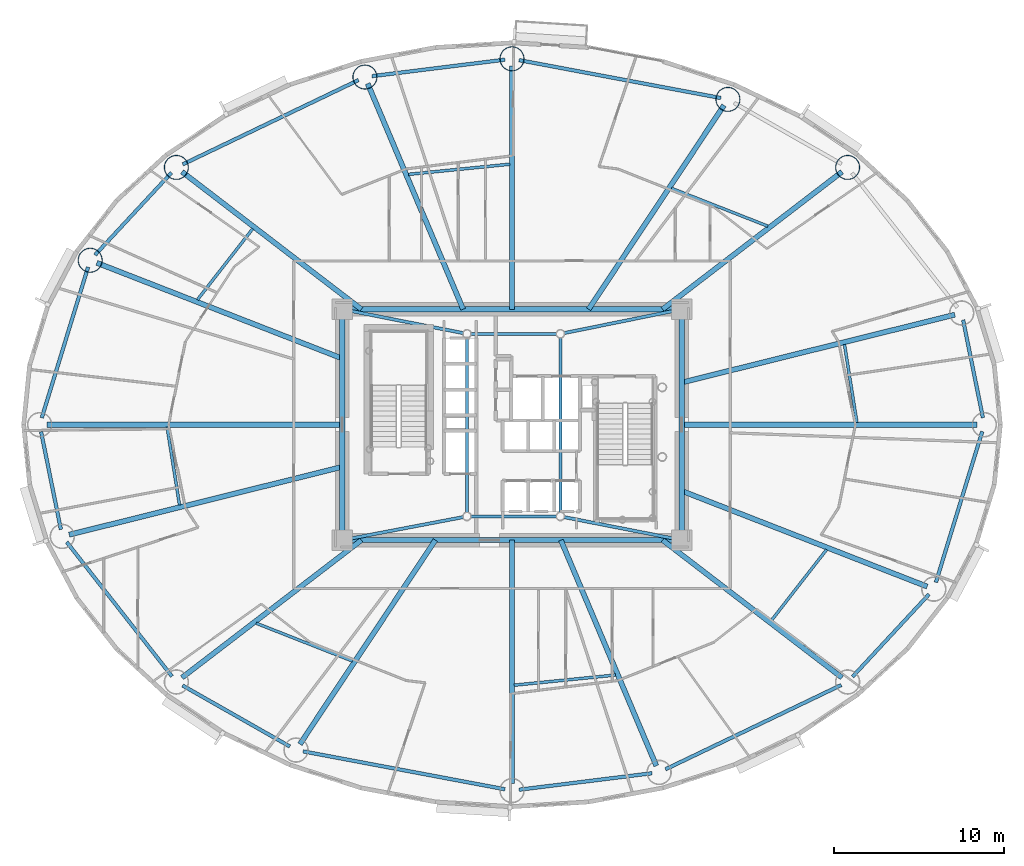
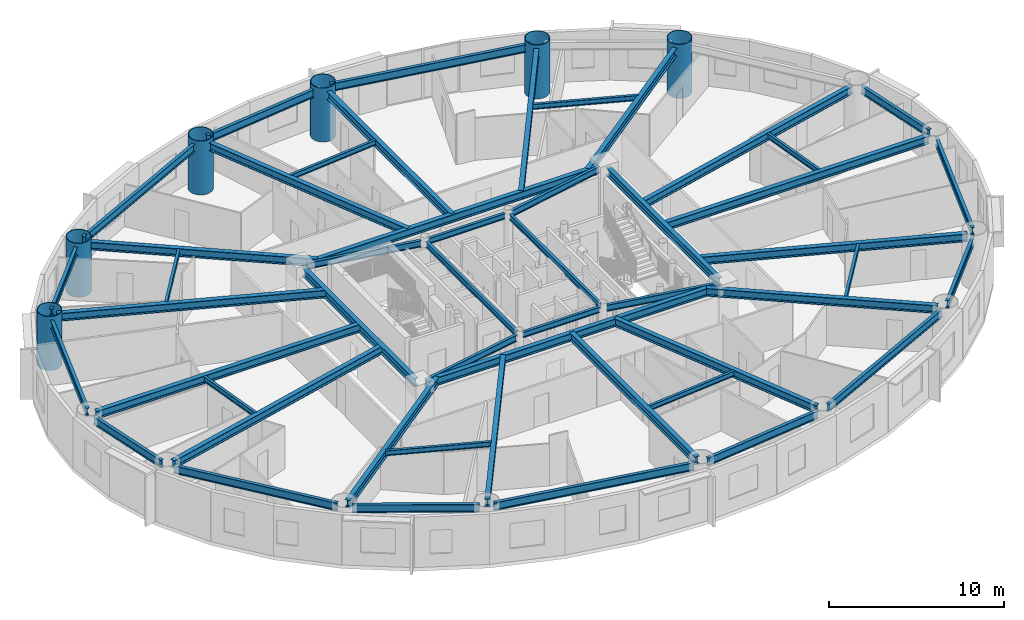
# One storey, part 3 of 16: 50 beams, 6 columns.
"""IFC4 building model written with IfcOpenShell, lengths in metres."""

from ifc_helpers import new_model, si_unit, direction, frame, origin, origin_2d, place, context, subcontext, project, spatial, hollow_circle, i_section, extrude, material, material_profile, profile_set, type_object, element, save


model = new_model("IFC4")

# Units and contexts
model_context = context("Model", 3, precision=1e-05, world=origin(), true_north=direction((0.0, 1.0)))
body_context = subcontext(model_context, "Body", "Model", "MODEL_VIEW")
ifc_project = project(units=[si_unit("LENGTHUNIT", "METRE"), si_unit("AREAUNIT", "SQUARE_METRE"), si_unit("VOLUMEUNIT", "CUBIC_METRE"), si_unit("PLANEANGLEUNIT", "RADIAN"), si_unit("MASSUNIT", "GRAM", prefix="KILO")], contexts=[model_context])

# Site, building, storey
site_placement = place(None, origin())
site = spatial("IfcSite", under=ifc_project, at=site_placement, CompositionType="ELEMENT")
building_placement = place(site_placement, origin())
building = spatial("IfcBuilding", under=site, at=building_placement, Name="Linh Dai School and Residence Tower", CompositionType="ELEMENT")
storey_placement = place(building_placement, frame((0.0, 0.0, 108.449951171875)))
storey = spatial("IfcBuildingStorey", under=building, at=storey_placement, Name="L25", CompositionType="ELEMENT", Elevation=108.449951171875)

# Columns
ifc_material = material(Name="Structural Steel S355JR", Category="steel")
ifc_material_profile_1 = material_profile(ifc_material, hollow_circle(Radius=0.72509765625, WallThickness=0.0419921875, at=origin_2d()), Name="CHS 1450x42")
ifc_profile_set_1 = profile_set([ifc_material_profile_1], Name="Structural Steel S355JR")
column_type = type_object("IfcColumnType", Name="COL-MC3", PredefinedType="COLUMN", material=ifc_profile_set_1)
for number, where, z_axis, x_axis, name in (
    (1, (55.772705078125, 42.155517578125, 0.0), (0.0, 0.0, 1.0), (1.0, 0.0, 0.0), "L25 Perimeter CFT Mega-Column MC03"),
    (2, (48.721923828125, 46.1650390625, 0.0), (0.0, 0.0, 1.0), (1.0, 0.0, 0.0), "L25 Perimeter CFT Mega-Column MC04"),
    (3, (36.0, 48.554931640625, 0.0), (0.0, 0.0, 1.0), (1.0, 0.0, 0.0), "L25 Perimeter CFT Mega-Column MC05"),
    (4, (27.33447265625, 47.480712890625, 0.0), (0.0, 0.0, 1.0), (1.0, 0.0, 0.0), "L25 Perimeter CFT Mega-Column MC06"),
    (5, (16.227294921875, 42.155517578125, 0.0), (0.0, 0.0, 1.0), (1.0, 0.0, 0.0), "L25 Perimeter CFT Mega-Column MC07"),
    (6, (11.15087890625, 36.6875, 0.0), (0.0, 0.0, 1.0), (1.0, 0.0, 0.0), "L25 Perimeter CFT Mega-Column MC08"),
):
    element("IfcColumn", number, at=place(storey_placement, frame(where, z_axis=z_axis, x_axis=x_axis)), inside=storey, type_object=column_type, Name=name, PredefinedType="COLUMN", context=body_context, shape_type="SweptSolid", body=[
        extrude(hollow_circle(Radius=0.72509765625, WallThickness=0.0419921875, at=origin_2d()), origin(), (0.0, 0.0, 1.0), 3.75),
    ])

# Beams
ifc_material_profile_2 = material_profile(ifc_material, i_section(OverallWidth=0.2099609375, OverallDepth=0.550048828125, WebThickness=0.010986328125, FlangeThickness=0.01708984375, FilletRadius=0.02392578125, at=origin_2d()), Name="IPE 550")
ifc_profile_set_2 = profile_set([ifc_material_profile_2], Name="Structural Steel S355JR")
beam_type_1 = type_object("IfcBeamType", Name="BM-RB55", PredefinedType="BEAM", material=ifc_profile_set_2)
beam_1_placement = place(storey_placement, frame((63.74169921875, 27.41162109375, 3.22509765625), z_axis=(-0.198441254313, 0.980112783605, 0.0), x_axis=(-0.980112783605, -0.198441254313, 0.0)))
element("IfcBeam", 7, at=beam_1_placement, inside=storey, type_object=beam_type_1, Name="L25 Perimeter Elliptical Ring Beam 01", PredefinedType="BEAM", context=body_context, shape_type="SweptSolid", body=[
    extrude(i_section(OverallWidth=0.2099609375, OverallDepth=0.550048828125, WebThickness=0.010986328125, FlangeThickness=0.01708984375, FilletRadius=0.02392578125, at=origin_2d()), origin(), (0.0, 0.0, 1.0), 5.874755859375),
])
beam_2_placement = place(storey_placement, frame((48.30908203125, 46.24267578125, 3.22509765625), z_axis=(-0.982807507457, 0.184633158685, 0.0), x_axis=(-0.184633158685, -0.982807507457, 0.0)))
element("IfcBeam", 8, at=beam_2_placement, inside=storey, type_object=beam_type_1, Name="L25 Perimeter Elliptical Ring Beam 04", PredefinedType="BEAM", context=body_context, shape_type="SweptSolid", body=[
    extrude(i_section(OverallWidth=0.2099609375, OverallDepth=0.550048828125, WebThickness=0.010986328125, FlangeThickness=0.01708984375, FilletRadius=0.02392578125, at=origin_2d()), origin(), (0.0, 0.0, 1.0), 12.104248046875),
])
beam_3_placement = place(storey_placement, frame((35.583251953125, 48.50341796875, 3.22509765625), z_axis=(-0.992399234854, -0.123059979933, 0.0), x_axis=(0.123059979933, -0.992399234854, 0.0)))
element("IfcBeam", 9, at=beam_3_placement, inside=storey, type_object=beam_type_1, Name="L25 Perimeter Elliptical Ring Beam 05", PredefinedType="BEAM", context=body_context, shape_type="SweptSolid", body=[
    extrude(i_section(OverallWidth=0.2099609375, OverallDepth=0.550048828125, WebThickness=0.010986328125, FlangeThickness=0.01708984375, FilletRadius=0.02392578125, at=origin_2d()), origin(), (0.0, 0.0, 1.0), 7.89208984375),
])
beam_4_placement = place(storey_placement, frame((26.955810546875, 47.299072265625, 3.22509765625), z_axis=(-0.901715153312, -0.432330640005, 0.0), x_axis=(0.432330640005, -0.901715153312, 0.0)))
element("IfcBeam", 10, at=beam_4_placement, inside=storey, type_object=beam_type_1, Name="L25 Perimeter Elliptical Ring Beam 06", PredefinedType="BEAM", context=body_context, shape_type="SweptSolid", body=[
    extrude(i_section(OverallWidth=0.2099609375, OverallDepth=0.550048828125, WebThickness=0.010986328125, FlangeThickness=0.01708984375, FilletRadius=0.02392578125, at=origin_2d()), origin(), (0.0, 0.0, 1.0), 11.477783203125),
])
beam_5_placement = place(storey_placement, frame((15.941650390625, 41.84765625, 3.22509765625), z_axis=(-0.680384623752, -0.732855213369, 0.0), x_axis=(0.732855213369, -0.680384623752, 0.0)))
element("IfcBeam", 11, at=beam_5_placement, inside=storey, type_object=beam_type_1, Name="L25 Perimeter Elliptical Ring Beam 07", PredefinedType="BEAM", context=body_context, shape_type="SweptSolid", body=[
    extrude(i_section(OverallWidth=0.2099609375, OverallDepth=0.550048828125, WebThickness=0.010986328125, FlangeThickness=0.01708984375, FilletRadius=0.02392578125, at=origin_2d()), origin(), (0.0, 0.0, 1.0), 6.62109375),
])
beam_6_placement = place(storey_placement, frame((11.027587890625, 36.2861328125, 3.22509765625), z_axis=(-0.29364097848, -0.95591577859, 0.0), x_axis=(0.95591577859, -0.29364097848, 0.0)))
element("IfcBeam", 12, at=beam_6_placement, inside=storey, type_object=beam_type_1, Name="L25 Perimeter Elliptical Ring Beam 08", PredefinedType="BEAM", context=body_context, shape_type="SweptSolid", body=[
    extrude(i_section(OverallWidth=0.2099609375, OverallDepth=0.550048828125, WebThickness=0.010986328125, FlangeThickness=0.01708984375, FilletRadius=0.02392578125, at=origin_2d()), origin(), (0.0, 0.0, 1.0), 9.29443359375),
])
beam_7_placement = place(storey_placement, frame((8.25830078125, 26.58837890625, 3.22509765625), z_axis=(0.198441254313, -0.980112783605, 0.0), x_axis=(0.980112783605, 0.198441254313, 0.0)))
element("IfcBeam", 13, at=beam_7_placement, inside=storey, type_object=beam_type_1, Name="L25 Perimeter Elliptical Ring Beam 09", PredefinedType="BEAM", context=body_context, shape_type="SweptSolid", body=[
    extrude(i_section(OverallWidth=0.2099609375, OverallDepth=0.550048828125, WebThickness=0.010986328125, FlangeThickness=0.01708984375, FilletRadius=0.02392578125, at=origin_2d()), origin(), (0.0, 0.0, 1.0), 5.874755859375),
])
beam_8_placement = place(storey_placement, frame((9.766357421875, 20.08837890625, 3.22509765625), z_axis=(0.616854830973, -0.787076945098, 0.0), x_axis=(0.787076945098, 0.616854830973, 0.0)))
element("IfcBeam", 14, at=beam_8_placement, inside=storey, type_object=beam_type_1, Name="L25 Perimeter Elliptical Ring Beam 10", PredefinedType="BEAM", context=body_context, shape_type="SweptSolid", body=[
    extrude(i_section(OverallWidth=0.2099609375, OverallDepth=0.550048828125, WebThickness=0.010986328125, FlangeThickness=0.01708984375, FilletRadius=0.02392578125, at=origin_2d()), origin(), (0.0, 0.0, 1.0), 10.053955078125),
])
beam_9_placement = place(storey_placement, frame((16.592529296875, 11.636962890625, 3.22509765625), z_axis=(0.86927031475, -0.494337050902, 0.0), x_axis=(0.494337050902, 0.86927031475, 0.0)))
element("IfcBeam", 15, at=beam_9_placement, inside=storey, type_object=beam_type_1, Name="L25 Perimeter Elliptical Ring Beam 11", PredefinedType="BEAM", context=body_context, shape_type="SweptSolid", body=[
    extrude(i_section(OverallWidth=0.2099609375, OverallDepth=0.550048828125, WebThickness=0.010986328125, FlangeThickness=0.01708984375, FilletRadius=0.02392578125, at=origin_2d()), origin(), (0.0, 0.0, 1.0), 7.270751953125),
])
beam_10_placement = place(storey_placement, frame((23.69091796875, 7.75732421875, 3.22509765625), z_axis=(0.982807507457, -0.184633158685, 0.0), x_axis=(0.184633158685, 0.982807507457, 0.0)))
element("IfcBeam", 16, at=beam_10_placement, inside=storey, type_object=beam_type_1, Name="L25 Perimeter Elliptical Ring Beam 12", PredefinedType="BEAM", context=body_context, shape_type="SweptSolid", body=[
    extrude(i_section(OverallWidth=0.2099609375, OverallDepth=0.550048828125, WebThickness=0.010986328125, FlangeThickness=0.01708984375, FilletRadius=0.02392578125, at=origin_2d()), origin(), (0.0, 0.0, 1.0), 12.104248046875),
])
beam_11_placement = place(storey_placement, frame((36.416748046875, 5.49658203125, 3.22509765625), z_axis=(0.992399234854, 0.123059979933, 0.0), x_axis=(-0.123059979933, 0.992399234854, 0.0)))
element("IfcBeam", 17, at=beam_11_placement, inside=storey, type_object=beam_type_1, Name="L25 Perimeter Elliptical Ring Beam 13", PredefinedType="BEAM", context=body_context, shape_type="SweptSolid", body=[
    extrude(i_section(OverallWidth=0.2099609375, OverallDepth=0.550048828125, WebThickness=0.010986328125, FlangeThickness=0.01708984375, FilletRadius=0.02392578125, at=origin_2d()), origin(), (0.0, 0.0, 1.0), 7.89208984375),
])
beam_12_placement = place(storey_placement, frame((45.044189453125, 6.700927734375, 3.22509765625), z_axis=(0.901715153312, 0.432330640005, 0.0), x_axis=(-0.432330640005, 0.901715153312, 0.0)))
element("IfcBeam", 18, at=beam_12_placement, inside=storey, type_object=beam_type_1, Name="L25 Perimeter Elliptical Ring Beam 14", PredefinedType="BEAM", context=body_context, shape_type="SweptSolid", body=[
    extrude(i_section(OverallWidth=0.2099609375, OverallDepth=0.550048828125, WebThickness=0.010986328125, FlangeThickness=0.01708984375, FilletRadius=0.02392578125, at=origin_2d()), origin(), (0.0, 0.0, 1.0), 11.477783203125),
])
beam_13_placement = place(storey_placement, frame((56.058349609375, 12.15234375, 3.22509765625), z_axis=(0.680384623752, 0.732855213369, 0.0), x_axis=(-0.732855213369, 0.680384623752, 0.0)))
element("IfcBeam", 19, at=beam_13_placement, inside=storey, type_object=beam_type_1, Name="L25 Perimeter Elliptical Ring Beam 15", PredefinedType="BEAM", context=body_context, shape_type="SweptSolid", body=[
    extrude(i_section(OverallWidth=0.2099609375, OverallDepth=0.550048828125, WebThickness=0.010986328125, FlangeThickness=0.01708984375, FilletRadius=0.02392578125, at=origin_2d()), origin(), (0.0, 0.0, 1.0), 6.62109375),
])
beam_14_placement = place(storey_placement, frame((60.972412109375, 17.7138671875, 3.22509765625), z_axis=(0.29364097848, 0.95591577859, 0.0), x_axis=(-0.95591577859, 0.29364097848, 0.0)))
element("IfcBeam", 20, at=beam_14_placement, inside=storey, type_object=beam_type_1, Name="L25 Perimeter Elliptical Ring Beam 16", PredefinedType="BEAM", context=body_context, shape_type="SweptSolid", body=[
    extrude(i_section(OverallWidth=0.2099609375, OverallDepth=0.550048828125, WebThickness=0.010986328125, FlangeThickness=0.01708984375, FilletRadius=0.02392578125, at=origin_2d()), origin(), (0.0, 0.0, 1.0), 9.29443359375),
])
ifc_material_profile_3 = material_profile(ifc_material, i_section(OverallWidth=0.300048828125, OverallDepth=0.550048828125, WebThickness=0.014892578125, FlangeThickness=0.029052734375, FilletRadius=0.027099609375, at=origin_2d()), Name="HEB 550")
ifc_profile_set_3 = profile_set([ifc_material_profile_3], Name="Structural Steel S355JR")
beam_type_2 = type_object("IfcBeamType", Name="BM-RG55", PredefinedType="BEAM", material=ifc_profile_set_3)
beam_15_placement = place(storey_placement, frame((26.419921875, 20.199951171875, 3.22509765625), z_axis=(1.0, 0.0, 0.0), x_axis=(0.0, 1.0, 0.0)))
element("IfcBeam", 21, at=beam_15_placement, inside=storey, type_object=beam_type_2, Name="L25 Core Perimeter Coupling Girder 1", PredefinedType="BEAM", context=body_context, shape_type="SweptSolid", body=[
    extrude(i_section(OverallWidth=0.300048828125, OverallDepth=0.550048828125, WebThickness=0.014892578125, FlangeThickness=0.029052734375, FilletRadius=0.027099609375, at=origin_2d()), origin(), (0.0, 0.0, 1.0), 19.16015625),
])
beam_16_placement = place(storey_placement, frame((46.0, 20.6201171875, 3.22509765625), z_axis=(0.0, 1.0, 0.0), x_axis=(-1.0, 0.0, 0.0)))
element("IfcBeam", 22, at=beam_16_placement, inside=storey, type_object=beam_type_2, Name="L25 Core Perimeter Coupling Girder 2", PredefinedType="BEAM", context=body_context, shape_type="SweptSolid", body=[
    extrude(i_section(OverallWidth=0.300048828125, OverallDepth=0.550048828125, WebThickness=0.014892578125, FlangeThickness=0.029052734375, FilletRadius=0.027099609375, at=origin_2d()), origin(), (0.0, 0.0, 1.0), 12.759765625),
])
beam_17_placement = place(storey_placement, frame((45.580078125, 33.800048828125, 3.22509765625), z_axis=(-1.0, 0.0, 0.0), x_axis=(0.0, -1.0, 0.0)))
element("IfcBeam", 23, at=beam_17_placement, inside=storey, type_object=beam_type_2, Name="L25 Core Perimeter Coupling Girder 3", PredefinedType="BEAM", context=body_context, shape_type="SweptSolid", body=[
    extrude(i_section(OverallWidth=0.300048828125, OverallDepth=0.550048828125, WebThickness=0.014892578125, FlangeThickness=0.029052734375, FilletRadius=0.027099609375, at=origin_2d()), origin(), (0.0, 0.0, 1.0), 19.16015625),
])
beam_18_placement = place(storey_placement, frame((26.0, 33.3798828125, 3.22509765625), z_axis=(0.0, -1.0, 0.0), x_axis=(1.0, 0.0, 0.0)))
element("IfcBeam", 24, at=beam_18_placement, inside=storey, type_object=beam_type_2, Name="L25 Core Perimeter Coupling Girder 4", PredefinedType="BEAM", context=body_context, shape_type="SweptSolid", body=[
    extrude(i_section(OverallWidth=0.300048828125, OverallDepth=0.550048828125, WebThickness=0.014892578125, FlangeThickness=0.029052734375, FilletRadius=0.027099609375, at=origin_2d()), origin(), (0.0, 0.0, 1.0), 12.759765625),
])
beam_19_placement = place(storey_placement, frame((46.0, 27.0, 3.22509765625), z_axis=(1.0, 0.0, 0.0), x_axis=(0.0, 1.0, 0.0)))
element("IfcBeam", 25, at=beam_19_placement, inside=storey, type_object=beam_type_2, Name="L25 Primary Radial Floor Girder 01", PredefinedType="BEAM", context=body_context, shape_type="SweptSolid", body=[
    extrude(i_section(OverallWidth=0.300048828125, OverallDepth=0.550048828125, WebThickness=0.014892578125, FlangeThickness=0.029052734375, FilletRadius=0.027099609375, at=origin_2d()), origin(), (0.0, 0.0, 1.0), 17.405029296875),
])
beam_20_placement = place(storey_placement, frame((46.0, 29.484130859375, 3.22509765625), z_axis=(0.970505338376, 0.241079630379, 0.0), x_axis=(-0.241079630379, 0.970505338376, 0.0)))
element("IfcBeam", 26, at=beam_20_placement, inside=storey, type_object=beam_type_2, Name="L25 Primary Radial Floor Girder 02", PredefinedType="BEAM", context=body_context, shape_type="SweptSolid", body=[
    extrude(i_section(OverallWidth=0.300048828125, OverallDepth=0.550048828125, WebThickness=0.014892578125, FlangeThickness=0.029052734375, FilletRadius=0.027099609375, at=origin_2d()), origin(), (0.0, 0.0, 1.0), 16.57373046875),
])
beam_21_placement = place(storey_placement, frame((44.87158203125, 33.800048828125, 3.22509765625), z_axis=(0.793678660795, 0.608337228352, 0.0), x_axis=(-0.608337228352, 0.793678660795, 0.0)))
element("IfcBeam", 27, at=beam_21_placement, inside=storey, type_object=beam_type_2, Name="L25 Primary Radial Floor Girder 03", PredefinedType="BEAM", context=body_context, shape_type="SweptSolid", body=[
    extrude(i_section(OverallWidth=0.300048828125, OverallDepth=0.550048828125, WebThickness=0.014892578125, FlangeThickness=0.029052734375, FilletRadius=0.027099609375, at=origin_2d()), origin(), (0.0, 0.0, 1.0), 13.314697265625),
])
beam_22_placement = place(storey_placement, frame((40.513916015625, 33.800048828125, 3.22509765625), z_axis=(0.553054392401, 0.833145148846, 0.0), x_axis=(-0.833145148846, 0.553054392401, 0.0)))
element("IfcBeam", 28, at=beam_22_placement, inside=storey, type_object=beam_type_2, Name="L25 Primary Radial Floor Girder 04", PredefinedType="BEAM", context=body_context, shape_type="SweptSolid", body=[
    extrude(i_section(OverallWidth=0.300048828125, OverallDepth=0.550048828125, WebThickness=0.014892578125, FlangeThickness=0.029052734375, FilletRadius=0.027099609375, at=origin_2d()), origin(), (0.0, 0.0, 1.0), 14.42138671875),
])
beam_23_placement = place(storey_placement, frame((36.0, 33.800048828125, 3.22509765625), z_axis=(0.0, 1.0, 0.0), x_axis=(-1.0, 0.0, 0.0)))
element("IfcBeam", 29, at=beam_23_placement, inside=storey, type_object=beam_type_2, Name="L25 Primary Radial Floor Girder 05", PredefinedType="BEAM", context=body_context, shape_type="SweptSolid", body=[
    extrude(i_section(OverallWidth=0.300048828125, OverallDepth=0.550048828125, WebThickness=0.014892578125, FlangeThickness=0.029052734375, FilletRadius=0.027099609375, at=origin_2d()), origin(), (0.0, 0.0, 1.0), 14.3349609375),
])
beam_24_placement = place(storey_placement, frame((33.122802734375, 33.800048828125, 3.22509765625), z_axis=(-0.389669233739, 0.920954878524, 0.0), x_axis=(-0.920954878524, -0.389669233739, 0.0)))
element("IfcBeam", 30, at=beam_24_placement, inside=storey, type_object=beam_type_2, Name="L25 Primary Radial Floor Girder 06", PredefinedType="BEAM", context=body_context, shape_type="SweptSolid", body=[
    extrude(i_section(OverallWidth=0.300048828125, OverallDepth=0.550048828125, WebThickness=0.014892578125, FlangeThickness=0.029052734375, FilletRadius=0.027099609375, at=origin_2d()), origin(), (0.0, 0.0, 1.0), 14.434814453125),
])
beam_25_placement = place(storey_placement, frame((27.12841796875, 33.800048828125, 3.22509765625), z_axis=(-0.793678660795, 0.608337228352, 0.0), x_axis=(-0.608337228352, -0.793678660795, 0.0)))
element("IfcBeam", 31, at=beam_25_placement, inside=storey, type_object=beam_type_2, Name="L25 Primary Radial Floor Girder 07", PredefinedType="BEAM", context=body_context, shape_type="SweptSolid", body=[
    extrude(i_section(OverallWidth=0.300048828125, OverallDepth=0.550048828125, WebThickness=0.014892578125, FlangeThickness=0.029052734375, FilletRadius=0.027099609375, at=origin_2d()), origin(), (0.0, 0.0, 1.0), 13.314697265625),
])
beam_26_placement = place(storey_placement, frame((26.0, 30.8984375, 3.22509765625), z_axis=(-0.931699338449, 0.363230426498, 0.0), x_axis=(-0.363230426498, -0.931699338449, 0.0)))
element("IfcBeam", 32, at=beam_26_placement, inside=storey, type_object=beam_type_2, Name="L25 Primary Radial Floor Girder 08", PredefinedType="BEAM", context=body_context, shape_type="SweptSolid", body=[
    extrude(i_section(OverallWidth=0.300048828125, OverallDepth=0.550048828125, WebThickness=0.014892578125, FlangeThickness=0.029052734375, FilletRadius=0.027099609375, at=origin_2d()), origin(), (0.0, 0.0, 1.0), 15.517578125),
])
beam_27_placement = place(storey_placement, frame((26.0, 27.0, 3.22509765625), z_axis=(-1.0, 0.0, 0.0), x_axis=(0.0, -1.0, 0.0)))
element("IfcBeam", 33, at=beam_27_placement, inside=storey, type_object=beam_type_2, Name="L25 Primary Radial Floor Girder 09", PredefinedType="BEAM", context=body_context, shape_type="SweptSolid", body=[
    extrude(i_section(OverallWidth=0.300048828125, OverallDepth=0.550048828125, WebThickness=0.014892578125, FlangeThickness=0.029052734375, FilletRadius=0.027099609375, at=origin_2d()), origin(), (0.0, 0.0, 1.0), 17.405029296875),
])
beam_28_placement = place(storey_placement, frame((26.0, 24.515869140625, 3.22509765625), z_axis=(-0.970505338376, -0.241079630379, 0.0), x_axis=(0.241079630379, -0.970505338376, 0.0)))
element("IfcBeam", 34, at=beam_28_placement, inside=storey, type_object=beam_type_2, Name="L25 Primary Radial Floor Girder 10", PredefinedType="BEAM", context=body_context, shape_type="SweptSolid", body=[
    extrude(i_section(OverallWidth=0.300048828125, OverallDepth=0.550048828125, WebThickness=0.014892578125, FlangeThickness=0.029052734375, FilletRadius=0.027099609375, at=origin_2d()), origin(), (0.0, 0.0, 1.0), 16.57373046875),
])
beam_29_placement = place(storey_placement, frame((27.12841796875, 20.199951171875, 3.22509765625), z_axis=(-0.793678660795, -0.608337228352, 0.0), x_axis=(0.608337228352, -0.793678660795, 0.0)))
element("IfcBeam", 35, at=beam_29_placement, inside=storey, type_object=beam_type_2, Name="L25 Primary Radial Floor Girder 11", PredefinedType="BEAM", context=body_context, shape_type="SweptSolid", body=[
    extrude(i_section(OverallWidth=0.300048828125, OverallDepth=0.550048828125, WebThickness=0.014892578125, FlangeThickness=0.029052734375, FilletRadius=0.027099609375, at=origin_2d()), origin(), (0.0, 0.0, 1.0), 13.314697265625),
])
beam_30_placement = place(storey_placement, frame((31.486083984375, 20.199951171875, 3.22509765625), z_axis=(-0.553054392401, -0.833145148846, 0.0), x_axis=(0.833145148846, -0.553054392401, 0.0)))
element("IfcBeam", 36, at=beam_30_placement, inside=storey, type_object=beam_type_2, Name="L25 Primary Radial Floor Girder 12", PredefinedType="BEAM", context=body_context, shape_type="SweptSolid", body=[
    extrude(i_section(OverallWidth=0.300048828125, OverallDepth=0.550048828125, WebThickness=0.014892578125, FlangeThickness=0.029052734375, FilletRadius=0.027099609375, at=origin_2d()), origin(), (0.0, 0.0, 1.0), 14.42138671875),
])
beam_31_placement = place(storey_placement, frame((36.0, 20.199951171875, 3.22509765625), z_axis=(0.0, -1.0, 0.0), x_axis=(1.0, 0.0, 0.0)))
element("IfcBeam", 37, at=beam_31_placement, inside=storey, type_object=beam_type_2, Name="L25 Primary Radial Floor Girder 13", PredefinedType="BEAM", context=body_context, shape_type="SweptSolid", body=[
    extrude(i_section(OverallWidth=0.300048828125, OverallDepth=0.550048828125, WebThickness=0.014892578125, FlangeThickness=0.029052734375, FilletRadius=0.027099609375, at=origin_2d()), origin(), (0.0, 0.0, 1.0), 14.3349609375),
])
beam_32_placement = place(storey_placement, frame((38.877197265625, 20.199951171875, 3.22509765625), z_axis=(0.389669233739, -0.920954878524, 0.0), x_axis=(0.920954878524, 0.389669233739, 0.0)))
element("IfcBeam", 38, at=beam_32_placement, inside=storey, type_object=beam_type_2, Name="L25 Primary Radial Floor Girder 14", PredefinedType="BEAM", context=body_context, shape_type="SweptSolid", body=[
    extrude(i_section(OverallWidth=0.300048828125, OverallDepth=0.550048828125, WebThickness=0.014892578125, FlangeThickness=0.029052734375, FilletRadius=0.027099609375, at=origin_2d()), origin(), (0.0, 0.0, 1.0), 14.434814453125),
])
beam_33_placement = place(storey_placement, frame((44.87158203125, 20.199951171875, 3.22509765625), z_axis=(0.793678660795, -0.608337228352, 0.0), x_axis=(0.608337228352, 0.793678660795, 0.0)))
element("IfcBeam", 39, at=beam_33_placement, inside=storey, type_object=beam_type_2, Name="L25 Primary Radial Floor Girder 15", PredefinedType="BEAM", context=body_context, shape_type="SweptSolid", body=[
    extrude(i_section(OverallWidth=0.300048828125, OverallDepth=0.550048828125, WebThickness=0.014892578125, FlangeThickness=0.029052734375, FilletRadius=0.027099609375, at=origin_2d()), origin(), (0.0, 0.0, 1.0), 13.314697265625),
])
beam_34_placement = place(storey_placement, frame((46.0, 23.1015625, 3.22509765625), z_axis=(0.931699338449, -0.363230426498, 0.0), x_axis=(0.363230426498, 0.931699338449, 0.0)))
element("IfcBeam", 40, at=beam_34_placement, inside=storey, type_object=beam_type_2, Name="L25 Primary Radial Floor Girder 16", PredefinedType="BEAM", context=body_context, shape_type="SweptSolid", body=[
    extrude(i_section(OverallWidth=0.300048828125, OverallDepth=0.550048828125, WebThickness=0.014892578125, FlangeThickness=0.029052734375, FilletRadius=0.027099609375, at=origin_2d()), origin(), (0.0, 0.0, 1.0), 15.517578125),
])
ifc_material_profile_4 = material_profile(ifc_material, i_section(OverallWidth=0.169921875, OverallDepth=0.360107421875, WebThickness=0.008056640625, FlangeThickness=0.0126953125, FilletRadius=0.01806640625, at=origin_2d()), Name="IPE 360")
ifc_profile_set_4 = profile_set([ifc_material_profile_4], Name="Structural Steel S355JR")
beam_type_3 = type_object("IfcBeamType", Name="BM-SB36", PredefinedType="BEAM", material=ifc_profile_set_4)
beam_35_placement = place(storey_placement, frame((56.318115234375, 27.12841796875, 3.320068359375), z_axis=(-0.15702217033, 0.987595077967, 0.0), x_axis=(-0.987595077967, -0.15702217033, 0.0)))
element("IfcBeam", 41, at=beam_35_placement, inside=storey, type_object=beam_type_3, Name="L25 Secondary Circumferential Floor Beam 01", PredefinedType="BEAM", context=body_context, shape_type="SweptSolid", body=[
    extrude(i_section(OverallWidth=0.169921875, OverallDepth=0.360107421875, WebThickness=0.008056640625, FlangeThickness=0.0126953125, FilletRadius=0.01806640625, at=origin_2d()), origin(), (0.0, 0.0, 1.0), 4.661376953125),
])
beam_36_placement = place(storey_placement, frame((51.0732421875, 38.693603515625, 3.320068359375), z_axis=(-0.930755385045, 0.365642466365, 0.0), x_axis=(-0.365642466365, -0.930755385045, 0.0)))
element("IfcBeam", 42, at=beam_36_placement, inside=storey, type_object=beam_type_3, Name="L25 Secondary Circumferential Floor Beam 02", PredefinedType="BEAM", context=body_context, shape_type="SweptSolid", body=[
    extrude(i_section(OverallWidth=0.169921875, OverallDepth=0.360107421875, WebThickness=0.008056640625, FlangeThickness=0.0126953125, FilletRadius=0.01806640625, at=origin_2d()), origin(), (0.0, 0.0, 1.0), 6.10009765625),
])
beam_37_placement = place(storey_placement, frame((35.87060546875, 42.344970703125, 3.320068359375), z_axis=(-0.995039604987, -0.099479568287, 0.0), x_axis=(0.099479568287, -0.995039604987, 0.0)))
element("IfcBeam", 43, at=beam_37_placement, inside=storey, type_object=beam_type_3, Name="L25 Secondary Circumferential Floor Beam 03", PredefinedType="BEAM", context=body_context, shape_type="SweptSolid", body=[
    extrude(i_section(OverallWidth=0.169921875, OverallDepth=0.360107421875, WebThickness=0.008056640625, FlangeThickness=0.0126953125, FilletRadius=0.01806640625, at=origin_2d()), origin(), (0.0, 0.0, 1.0), 6.00537109375),
])
beam_38_placement = place(storey_placement, frame((20.725830078125, 38.543701171875, 3.320068359375), z_axis=(-0.614322948635, -0.789054696951, 0.0), x_axis=(0.789054696951, -0.614322948635, 0.0)))
element("IfcBeam", 44, at=beam_38_placement, inside=storey, type_object=beam_type_3, Name="L25 Secondary Circumferential Floor Beam 04", PredefinedType="BEAM", context=body_context, shape_type="SweptSolid", body=[
    extrude(i_section(OverallWidth=0.169921875, OverallDepth=0.360107421875, WebThickness=0.008056640625, FlangeThickness=0.0126953125, FilletRadius=0.01806640625, at=origin_2d()), origin(), (0.0, 0.0, 1.0), 5.303955078125),
])
beam_39_placement = place(storey_placement, frame((15.681884765625, 26.87158203125, 3.320068359375), z_axis=(0.15702217033, -0.987595077967, 0.0), x_axis=(0.987595077967, 0.15702217033, 0.0)))
element("IfcBeam", 45, at=beam_39_placement, inside=storey, type_object=beam_type_3, Name="L25 Secondary Circumferential Floor Beam 05", PredefinedType="BEAM", context=body_context, shape_type="SweptSolid", body=[
    extrude(i_section(OverallWidth=0.169921875, OverallDepth=0.360107421875, WebThickness=0.008056640625, FlangeThickness=0.0126953125, FilletRadius=0.01806640625, at=origin_2d()), origin(), (0.0, 0.0, 1.0), 4.661376953125),
])
beam_40_placement = place(storey_placement, frame((20.9267578125, 15.306396484375, 3.320068359375), z_axis=(0.930755385045, -0.365642466365, 0.0), x_axis=(0.365642466365, 0.930755385045, 0.0)))
element("IfcBeam", 46, at=beam_40_placement, inside=storey, type_object=beam_type_3, Name="L25 Secondary Circumferential Floor Beam 06", PredefinedType="BEAM", context=body_context, shape_type="SweptSolid", body=[
    extrude(i_section(OverallWidth=0.169921875, OverallDepth=0.360107421875, WebThickness=0.008056640625, FlangeThickness=0.0126953125, FilletRadius=0.01806640625, at=origin_2d()), origin(), (0.0, 0.0, 1.0), 6.10009765625),
])
beam_41_placement = place(storey_placement, frame((36.12939453125, 11.655029296875, 3.320068359375), z_axis=(0.995039604987, 0.099479568287, 0.0), x_axis=(-0.099479568287, 0.995039604987, 0.0)))
element("IfcBeam", 47, at=beam_41_placement, inside=storey, type_object=beam_type_3, Name="L25 Secondary Circumferential Floor Beam 07", PredefinedType="BEAM", context=body_context, shape_type="SweptSolid", body=[
    extrude(i_section(OverallWidth=0.169921875, OverallDepth=0.360107421875, WebThickness=0.008056640625, FlangeThickness=0.0126953125, FilletRadius=0.01806640625, at=origin_2d()), origin(), (0.0, 0.0, 1.0), 6.00537109375),
])
beam_42_placement = place(storey_placement, frame((51.274169921875, 15.456298828125, 3.320068359375), z_axis=(0.614322948635, 0.789054696951, 0.0), x_axis=(-0.789054696951, 0.614322948635, 0.0)))
element("IfcBeam", 48, at=beam_42_placement, inside=storey, type_object=beam_type_3, Name="L25 Secondary Circumferential Floor Beam 08", PredefinedType="BEAM", context=body_context, shape_type="SweptSolid", body=[
    extrude(i_section(OverallWidth=0.169921875, OverallDepth=0.360107421875, WebThickness=0.008056640625, FlangeThickness=0.0126953125, FilletRadius=0.01806640625, at=origin_2d()), origin(), (0.0, 0.0, 1.0), 5.303955078125),
])
ifc_material_profile_5 = material_profile(ifc_material, i_section(OverallWidth=0.179931640625, OverallDepth=0.39990234375, WebThickness=0.008544921875, FlangeThickness=0.013427734375, FilletRadius=0.02099609375, at=origin_2d()), Name="IPE 400")
ifc_profile_set_5 = profile_set([ifc_material_profile_5], Name="Structural Steel S355JR")
beam_type_4 = type_object("IfcBeamType", Name="BM-SB40", PredefinedType="BEAM", material=ifc_profile_set_5)
beam_43_placement = place(storey_placement, frame((33.573974609375, 21.60009765625, 3.300048828125), z_axis=(1.0, 0.0, 0.0), x_axis=(0.0, 1.0, 0.0)))
element("IfcBeam", 49, at=beam_43_placement, inside=storey, type_object=beam_type_4, Name="L25 Core Mast Pier Tie Beam 1", PredefinedType="BEAM", context=body_context, shape_type="SweptSolid", body=[
    extrude(i_section(OverallWidth=0.179931640625, OverallDepth=0.39990234375, WebThickness=0.008544921875, FlangeThickness=0.013427734375, FilletRadius=0.02099609375, at=origin_2d()), origin(), (0.0, 0.0, 1.0), 5.052001953125),
])
beam_44_placement = place(storey_placement, frame((38.85009765625, 21.823974609375, 3.300048828125), z_axis=(0.0, 1.0, 0.0), x_axis=(-1.0, 0.0, 0.0)))
element("IfcBeam", 50, at=beam_44_placement, inside=storey, type_object=beam_type_4, Name="L25 Core Mast Pier Tie Beam 2", PredefinedType="BEAM", context=body_context, shape_type="SweptSolid", body=[
    extrude(i_section(OverallWidth=0.179931640625, OverallDepth=0.39990234375, WebThickness=0.008544921875, FlangeThickness=0.013427734375, FilletRadius=0.02099609375, at=origin_2d()), origin(), (0.0, 0.0, 1.0), 10.302001953125),
])
beam_45_placement = place(storey_placement, frame((38.6259765625, 32.35009765625, 3.300048828125), z_axis=(-1.0, 0.0, 0.0), x_axis=(0.0, -1.0, 0.0)))
element("IfcBeam", 51, at=beam_45_placement, inside=storey, type_object=beam_type_4, Name="L25 Core Mast Pier Tie Beam 3", PredefinedType="BEAM", context=body_context, shape_type="SweptSolid", body=[
    extrude(i_section(OverallWidth=0.179931640625, OverallDepth=0.39990234375, WebThickness=0.008544921875, FlangeThickness=0.013427734375, FilletRadius=0.02099609375, at=origin_2d()), origin(), (0.0, 0.0, 1.0), 5.052001953125),
])
beam_46_placement = place(storey_placement, frame((33.35009765625, 32.1259765625, 3.300048828125), z_axis=(0.0, -1.0, 0.0), x_axis=(1.0, 0.0, 0.0)))
element("IfcBeam", 52, at=beam_46_placement, inside=storey, type_object=beam_type_4, Name="L25 Core Mast Pier Tie Beam 4", PredefinedType="BEAM", context=body_context, shape_type="SweptSolid", body=[
    extrude(i_section(OverallWidth=0.179931640625, OverallDepth=0.39990234375, WebThickness=0.008544921875, FlangeThickness=0.013427734375, FilletRadius=0.02099609375, at=origin_2d()), origin(), (0.0, 0.0, 1.0), 10.302001953125),
])
ifc_material_profile_6 = material_profile(ifc_material, i_section(OverallWidth=0.18994140625, OverallDepth=0.449951171875, WebThickness=0.009521484375, FlangeThickness=0.0146484375, FilletRadius=0.02099609375, at=origin_2d()), Name="IPE 450")
ifc_profile_set_6 = profile_set([ifc_material_profile_6], Name="Structural Steel S355JR")
beam_type_5 = type_object("IfcBeamType", Name="BM-SB45", PredefinedType="BEAM", material=ifc_profile_set_6)
beam_47_placement = place(storey_placement, frame((26.41259765625, 20.278564453125, 3.275146484375), z_axis=(0.982337003886, 0.187120311019, 0.0), x_axis=(-0.187120311019, 0.982337003886, 0.0)))
element("IfcBeam", 53, at=beam_47_placement, inside=storey, type_object=beam_type_5, Name="L25 Core Corner-to-Mast Pier Beam 1", PredefinedType="BEAM", context=body_context, shape_type="SweptSolid", body=[
    extrude(i_section(OverallWidth=0.18994140625, OverallDepth=0.449951171875, WebThickness=0.009521484375, FlangeThickness=0.0146484375, FilletRadius=0.02099609375, at=origin_2d()), origin(), (0.0, 0.0, 1.0), 6.838134765625),
])
beam_48_placement = place(storey_placement, frame((45.587890625, 20.28076171875, 3.275146484375), z_axis=(-0.981368554414, 0.192134745446, 0.0), x_axis=(-0.192134745446, -0.981368554414, 0.0)))
element("IfcBeam", 54, at=beam_48_placement, inside=storey, type_object=beam_type_5, Name="L25 Core Corner-to-Mast Pier Beam 2", PredefinedType="BEAM", context=body_context, shape_type="SweptSolid", body=[
    extrude(i_section(OverallWidth=0.18994140625, OverallDepth=0.449951171875, WebThickness=0.009521484375, FlangeThickness=0.0146484375, FilletRadius=0.02099609375, at=origin_2d()), origin(), (0.0, 0.0, 1.0), 6.641845703125),
])
beam_49_placement = place(storey_placement, frame((45.58837890625, 33.716552734375, 3.275146484375), z_axis=(-0.980049140776, -0.19875533116, 0.0), x_axis=(0.19875533116, -0.980049140776, 0.0)))
element("IfcBeam", 55, at=beam_49_placement, inside=storey, type_object=beam_type_5, Name="L25 Core Corner-to-Mast Pier Beam 3", PredefinedType="BEAM", context=body_context, shape_type="SweptSolid", body=[
    extrude(i_section(OverallWidth=0.18994140625, OverallDepth=0.449951171875, WebThickness=0.009521484375, FlangeThickness=0.0146484375, FilletRadius=0.02099609375, at=origin_2d()), origin(), (0.0, 0.0, 1.0), 6.651611328125),
])
beam_50_placement = place(storey_placement, frame((26.412109375, 33.71875, 3.275146484375), z_axis=(0.981087482999, -0.193564848828, 0.0), x_axis=(0.193564848828, 0.981087482999, 0.0)))
element("IfcBeam", 56, at=beam_50_placement, inside=storey, type_object=beam_type_5, Name="L25 Core Corner-to-Mast Pier Beam 4", PredefinedType="BEAM", context=body_context, shape_type="SweptSolid", body=[
    extrude(i_section(OverallWidth=0.18994140625, OverallDepth=0.449951171875, WebThickness=0.009521484375, FlangeThickness=0.0146484375, FilletRadius=0.02099609375, at=origin_2d()), origin(), (0.0, 0.0, 1.0), 6.847412109375),
])

save(model, "model.ifc")
